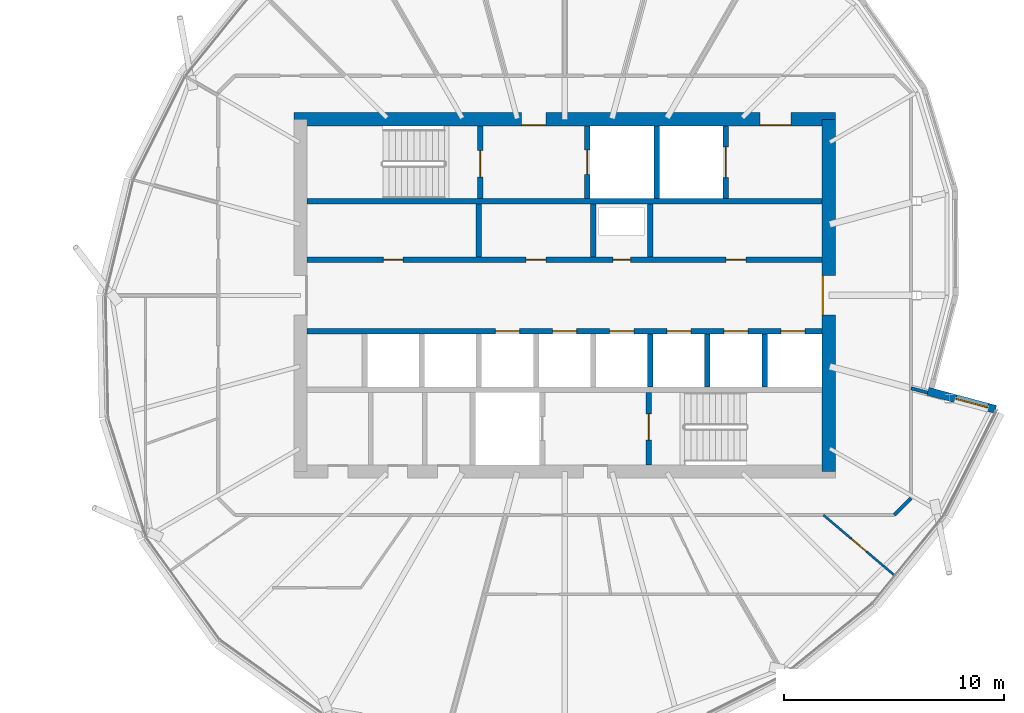
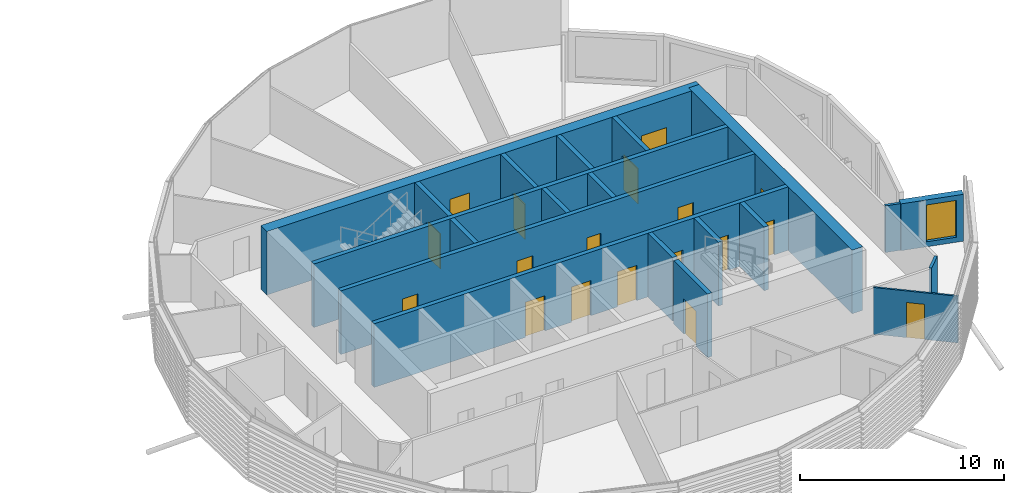
# One storey, part 22 of 37: 20 walls, 18 doors, 1 window, 19 openings.
"""IFC4 building model written with IfcOpenShell, lengths in metres."""

from ifc_helpers import new_model, si_unit, direction, frame, frame_2d, origin, place, context, subcontext, project, spatial, rectangle, extrude, material, layer, layer_set, type_object, element, fill, save


model = new_model("IFC4")

# Units and contexts
model_context = context("Model", 3, precision=1e-05, world=origin(), true_north=direction((0.0, 1.0)))
body_context = subcontext(model_context, "Body", "Model", "MODEL_VIEW")
ifc_project = project(units=[si_unit("LENGTHUNIT", "METRE"), si_unit("AREAUNIT", "SQUARE_METRE"), si_unit("VOLUMEUNIT", "CUBIC_METRE"), si_unit("PLANEANGLEUNIT", "RADIAN"), si_unit("MASSUNIT", "GRAM", prefix="KILO")], contexts=[model_context])

# Site, building, storey
site_placement = place(None, origin())
site = spatial("IfcSite", under=ifc_project, at=site_placement, CompositionType="ELEMENT")
building_placement = place(site_placement, origin())
building = spatial("IfcBuilding", under=site, at=building_placement, Name="Rimbun Link Towers", CompositionType="ELEMENT")
storey_placement = place(building_placement, frame((0.0, 0.0, 177.89990234375)))
storey = spatial("IfcBuildingStorey", under=building, at=storey_placement, Name="L43", CompositionType="ELEMENT", Elevation=177.89990234375)

# Wall, opening, window
ifc_material_1 = material(Name="Dark enamelled glass spandrel on insulated aluminium backpan", Category="aluminium")
ifc_layer_1 = layer(ifc_material_1, 0.3701171875)
ifc_layer_set_1 = layer_set([ifc_layer_1], Name="CS dark enamelled spandrel wall 370")
wall_type_1 = type_object("IfcWallType", Name="CS dark enamelled spandrel wall 370", PredefinedType="STANDARD", material=ifc_layer_set_1)
wall_1_placement = place(storey_placement, frame((48.25439453125, -4.35498046875, 0.0), z_axis=(0.0, 0.0, 1.0), x_axis=(0.965927146643, -0.258814117426, 0.0)))
wall_1 = element("IfcWall", 1, at=wall_1_placement, inside=storey, type_object=wall_type_1, Name="Crease spandrel wall", PredefinedType="STANDARD", context=body_context, shape_type="SweptSolid", body=[
    extrude(rectangle(XDim=3.179931640625, YDim=0.3701171875, at=frame_2d((1.58984375, 0.0))), origin(), (0.0, 0.0, 1.0), 2.79931640625),
])
opening_1_placement = place(wall_1_placement, frame((1.305419921875, 0.0, 0.300048828125)))
opening_1 = element("IfcOpeningElement", 2, at=opening_1_placement, cuts=wall_1, Name="Opening WR15H220", PredefinedType="OPENING", context=body_context, shape_type="SweptSolid", body=[
    extrude(rectangle(XDim=1.5, YDim=2.199951171875, at=frame_2d((0.75, 1.10009765625))), frame((0.0, 0.195068359375, 0.0), z_axis=(0.0, -1.0, 0.0), x_axis=(1.0, 0.0, 0.0)), (0.0, 0.0, 1.0), 0.39013671875),
])
ifc_material_2 = material(Name="Aluminium framed fixed window, dark tinted low-e glass", Category="aluminium")
window_type = type_object("IfcWindowType", Name="WR ribbon window 1500X2200", PartitioningType="SINGLE_PANEL", PredefinedType="WINDOW", material=ifc_material_2)
window_placement = place(opening_1_placement, origin())
window = element("IfcWindow", 3, at=window_placement, inside=storey, type_object=window_type, Name="Crease ribbon window", OverallHeight=2.199951171875, OverallWidth=1.5, PartitioningType="SINGLE_PANEL", PredefinedType="WINDOW", context=body_context, shape_type="SweptSolid", body=[
    extrude(rectangle(XDim=1.5, YDim=2.199951171875, at=frame_2d((0.75, 1.10009765625))), frame((0.0, 0.030029296875, 0.0), z_axis=(0.0, -1.0, 0.0), x_axis=(1.0, 0.0, 0.0)), (0.0, 0.0, 1.0), 0.06005859375),
])
fill(opening_1, window)

# Wall, openings, doors
ifc_material_3 = material(Name="Concrete C60/75", Category="concrete")
ifc_layer_2 = layer(ifc_material_3, 0.60009765625)
ifc_layer_set_2 = layer_set([ifc_layer_2], Name="Core shear wall 600")
wall_type_2 = type_object("IfcWallType", Name="Core shear wall 600", PredefinedType="SHEAR", material=ifc_layer_set_2)
wall_2_placement = place(storey_placement, frame((19.449951171875, 8.0, 0.0), z_axis=(0.0, 0.0, 1.0), x_axis=(1.0, 0.0, 0.0)))
wall_2 = element("IfcWall", 4, at=wall_2_placement, inside=storey, type_object=wall_type_2, Name="L43 T2 core wall N", PredefinedType="SHEAR", context=body_context, shape_type="SweptSolid", body=[
    extrude(rectangle(XDim=24.60009765625, YDim=0.60009765625, at=frame_2d((12.300048828125, 0.0))), origin(), (0.0, 0.0, 1.0), 3.800048828125),
])
opening_2_placement = place(wall_2_placement, frame((10.35009765625, 0.0, 0.0)))
opening_2 = element("IfcOpeningElement", 5, at=opening_2_placement, cuts=wall_2, Name="Opening C2DCF01N", PredefinedType="OPENING", context=body_context, shape_type="SweptSolid", body=[
    extrude(rectangle(XDim=1.10009765625, YDim=2.10009765625, at=frame_2d((0.550048828125, 1.050048828125))), frame((0.0, 0.31005859375, 0.0), z_axis=(0.0, -1.0, 0.0), x_axis=(1.0, 0.0, 0.0)), (0.0, 0.0, 1.0), 0.6201171875),
])
opening_3_placement = place(wall_2_placement, frame((21.175048828125, 0.0, 0.0)))
opening_3 = element("IfcOpeningElement", 6, at=opening_3_placement, cuts=wall_2, Name="Opening C2DSL02N", PredefinedType="OPENING", context=body_context, shape_type="SweptSolid", body=[
    extrude(rectangle(XDim=1.39990234375, YDim=2.10009765625, at=frame_2d((0.699951171875, 1.050048828125))), frame((0.0, 0.31005859375, 0.0), z_axis=(0.0, -1.0, 0.0), x_axis=(1.0, 0.0, 0.0)), (0.0, 0.0, 1.0), 0.6201171875),
])
ifc_material_4 = material(Name="Steel fire door set", Category="steel")
door_type_1 = type_object("IfcDoorType", Name="Core fire door single", OperationType="SINGLE_SWING_LEFT", PredefinedType="DOOR", material=ifc_material_4)
door_1_placement = place(opening_2_placement, origin())
door_1 = element("IfcDoor", 7, at=door_1_placement, inside=storey, type_object=door_type_1, Name="L43 T2 firefighting lobby n door", OperationType="SINGLE_SWING_LEFT", OverallHeight=2.10009765625, OverallWidth=1.10009765625, PredefinedType="DOOR", context=body_context, shape_type="SweptSolid", body=[
    extrude(rectangle(XDim=1.10009765625, YDim=2.10009765625, at=frame_2d((0.550048828125, 1.050048828125))), frame((0.0, -0.25, 0.0), z_axis=(0.0, -1.0, 0.0), x_axis=(1.0, 0.0, 0.0)), (0.0, 0.0, 1.0), 0.050048828125),
])
fill(opening_2, door_1)
ifc_material_5 = material(Name="Steel fire door set", Category="steel")
door_type_2 = type_object("IfcDoorType", Name="Service lobby door double", OperationType="DOUBLE_DOOR_SINGLE_SWING", PredefinedType="DOOR", material=ifc_material_5)
door_2_placement = place(opening_3_placement, origin())
door_2 = element("IfcDoor", 8, at=door_2_placement, inside=storey, type_object=door_type_2, Name="L43 T2 service lobby door", OperationType="DOUBLE_DOOR_SINGLE_SWING", OverallHeight=2.10009765625, OverallWidth=1.39990234375, PredefinedType="DOOR", context=body_context, shape_type="SweptSolid", body=[
    extrude(rectangle(XDim=1.39990234375, YDim=2.10009765625, at=frame_2d((0.699951171875, 1.050048828125))), frame((0.0, -0.25, 0.0), z_axis=(0.0, -1.0, 0.0), x_axis=(1.0, 0.0, 0.0)), (0.0, 0.0, 1.0), 0.050048828125),
])
fill(opening_3, door_2)

# Wall, opening, door
wall_3_placement = place(storey_placement, frame((43.75, -8.0, 0.0), z_axis=(0.0, 0.0, 1.0), x_axis=(0.0, 1.0, 0.0)))
wall_3 = element("IfcWall", 9, at=wall_3_placement, inside=storey, type_object=wall_type_2, Name="L43 T2 core wall E", PredefinedType="SHEAR", context=body_context, shape_type="SweptSolid", body=[
    extrude(rectangle(XDim=16.0, YDim=0.60009765625, at=frame_2d((8.0, 0.0))), origin(), (0.0, 0.0, 1.0), 3.800048828125),
])
opening_4_placement = place(wall_3_placement, frame((7.10009765625, 0.0, 0.0)))
opening_4 = element("IfcOpeningElement", 10, at=opening_4_placement, cuts=wall_3, Name="Opening C2DCL01E", PredefinedType="OPENING", context=body_context, shape_type="SweptSolid", body=[
    extrude(rectangle(XDim=1.800048828125, YDim=2.10009765625, at=frame_2d((0.89990234375, 1.050048828125))), frame((0.0, 0.31005859375, 0.0), z_axis=(0.0, -1.0, 0.0), x_axis=(1.0, 0.0, 0.0)), (0.0, 0.0, 1.0), 0.6201171875),
])
ifc_material_6 = material(Name="Steel fire door set", Category="steel")
door_type_3 = type_object("IfcDoorType", Name="Core lobby door double", OperationType="DOUBLE_DOOR_SINGLE_SWING", PredefinedType="DOOR", material=ifc_material_6)
door_3_placement = place(opening_4_placement, origin())
door_3 = element("IfcDoor", 11, at=door_3_placement, inside=storey, type_object=door_type_3, Name="L43 T2 lift lobby door", OperationType="DOUBLE_DOOR_SINGLE_SWING", OverallHeight=2.10009765625, OverallWidth=1.800048828125, PredefinedType="DOOR", context=body_context, shape_type="SweptSolid", body=[
    extrude(rectangle(XDim=1.800048828125, YDim=2.10009765625, at=frame_2d((0.89990234375, 1.050048828125))), frame((0.0, 0.2998046875, 0.0), z_axis=(0.0, -1.0, 0.0), x_axis=(1.0, 0.0, 0.0)), (0.0, 0.0, 1.0), 0.050048828125),
])
fill(opening_4, door_3)

# Wall
ifc_material_7 = material(Name="Plasterboard on steel stud, mineral wool", Category="steel")
ifc_layer_3 = layer(ifc_material_7, 0.14990234375)
ifc_layer_set_3 = layer_set([ifc_layer_3], Name="Corridor wall EI 30 150 mm")
wall_type_3 = type_object("IfcWallType", Name="Corridor wall EI 30 150 mm", PredefinedType="PARTITIONING", material=ifc_layer_set_3)
wall_4_placement = place(storey_placement, frame((46.7236328125, -9.97509765625, 0.0), z_axis=(0.0, 0.0, 1.0), x_axis=(0.707106781187, 0.707106781187, 0.0)))
element("IfcWall", 12, at=wall_4_placement, inside=storey, type_object=wall_type_3, Name="Corridor wall EI 30 150 mm", PredefinedType="PARTITIONING", context=body_context, shape_type="SweptSolid", body=[
    extrude(rectangle(XDim=1.076904296875, YDim=0.14990234375, at=frame_2d((0.53857421875, 0.0))), origin(), (0.0, 0.0, 1.0), 2.7890625),
])

# Wall, opening, door
ifc_material_8 = material(Name="Plasterboard on steel stud", Category="steel")
ifc_layer_4 = layer(ifc_material_8, 0.10009765625)
ifc_layer_set_4 = layer_set([ifc_layer_4], Name="Plasterboard partition 100 mm")
wall_type_4 = type_object("IfcWallType", Name="Plasterboard partition 100 mm", PredefinedType="PARTITIONING", material=ifc_layer_set_4)
wall_5_placement = place(storey_placement, frame((43.50537109375, -9.97509765625, 0.0), z_axis=(0.0, 0.0, 1.0), x_axis=(0.762487554791, -0.647002881593, 0.0)))
wall_5 = element("IfcWall", 13, at=wall_5_placement, inside=storey, type_object=wall_type_4, Name="Plasterboard partition 100 mm", PredefinedType="PARTITIONING", context=body_context, shape_type="SweptSolid", body=[
    extrude(rectangle(XDim=4.22802734375, YDim=0.10009765625, at=frame_2d((2.114013671875, 0.0))), origin(), (0.0, 0.0, 1.0), 2.7890625),
])
opening_5_placement = place(wall_5_placement, frame((1.6640625, 0.0, 0.0)))
opening_5 = element("IfcOpeningElement", 14, at=opening_5_placement, cuts=wall_5, Name="Opening D04", PredefinedType="OPENING", context=body_context, shape_type="SweptSolid", body=[
    extrude(rectangle(XDim=0.89990234375, YDim=2.10009765625, at=frame_2d((0.449951171875, 1.050048828125))), frame((0.0, 0.06005859375, 0.0), z_axis=(0.0, -1.0, 0.0), x_axis=(1.0, 0.0, 0.0)), (0.0, 0.0, 1.0), 0.1201171875),
])
ifc_material_9 = material(Name="Timber door leaf", Category="wood")
door_type_4 = type_object("IfcDoorType", Name="Flush door 900", OperationType="NOTDEFINED", PredefinedType="DOOR", material=ifc_material_9)
door_4_placement = place(opening_5_placement, origin())
door_4 = element("IfcDoor", 15, at=door_4_placement, inside=storey, type_object=door_type_4, Name="Flush door 900 to Pantry", OperationType="SINGLE_SWING_RIGHT", OverallHeight=2.10009765625, OverallWidth=0.89990234375, PredefinedType="DOOR", context=body_context, shape_type="SweptSolid", body=[
    extrude(rectangle(XDim=0.89990234375, YDim=2.10009765625, at=frame_2d((0.449951171875, 1.050048828125))), frame((0.0, 0.02490234375, 0.0), z_axis=(0.0, -1.0, 0.0), x_axis=(1.0, 0.0, 0.0)), (0.0, 0.0, 1.0), 0.050048828125),
])
fill(opening_5, door_4)

# Wall
ifc_material_10 = material(Name="Concrete C60/75", Category="concrete")
ifc_layer_5 = layer(ifc_material_10, 0.25)
ifc_layer_set_5 = layer_set([ifc_layer_5], Name="Shaft wall 250")
wall_type_5 = type_object("IfcWallType", Name="Shaft wall 250", PredefinedType="SHEAR", material=ifc_layer_set_5)
wall_6_placement = place(storey_placement, frame((20.050048828125, 4.27490234375, 0.0), z_axis=(0.0, 0.0, 1.0), x_axis=(1.0, 0.0, 0.0)))
element("IfcWall", 16, at=wall_6_placement, inside=storey, type_object=wall_type_5, Name="L43 T2 core wall BN", PredefinedType="SHEAR", context=body_context, shape_type="SweptSolid", body=[
    extrude(rectangle(XDim=23.39990234375, YDim=0.25, at=frame_2d((11.699951171875, 0.0))), origin(), (0.0, 0.0, 1.0), 3.800048828125),
])

# Wall, openings, doors
wall_7_placement = place(storey_placement, frame((20.050048828125, 1.625, 0.0), z_axis=(0.0, 0.0, 1.0), x_axis=(1.0, 0.0, 0.0)))
wall_7 = element("IfcWall", 17, at=wall_7_placement, inside=storey, type_object=wall_type_5, Name="L43 T2 core wall FN", PredefinedType="SHEAR", context=body_context, shape_type="SweptSolid", body=[
    extrude(rectangle(XDim=23.39990234375, YDim=0.25, at=frame_2d((11.699951171875, 0.0))), origin(), (0.0, 0.0, 1.0), 3.800048828125),
])
opening_6_placement = place(wall_7_placement, frame((3.466796875, 0.0, 0.0)))
opening_6 = element("IfcOpeningElement", 18, at=opening_6_placement, cuts=wall_7, Name="Opening C2DRS01FN", PredefinedType="OPENING", context=body_context, shape_type="SweptSolid", body=[
    extrude(rectangle(XDim=0.89990234375, YDim=2.10009765625, at=frame_2d((0.449951171875, 1.050048828125))), frame((0.0, 0.135009765625, 0.0), z_axis=(0.0, -1.0, 0.0), x_axis=(1.0, 0.0, 0.0)), (0.0, 0.0, 1.0), 0.27001953125),
])
opening_7_placement = place(wall_7_placement, frame((9.952880859375, 0.0, 0.0)))
opening_7 = element("IfcOpeningElement", 19, at=opening_7_placement, cuts=wall_7, Name="Opening C2DRS02FN", PredefinedType="OPENING", context=body_context, shape_type="SweptSolid", body=[
    extrude(rectangle(XDim=0.89990234375, YDim=2.10009765625, at=frame_2d((0.449951171875, 1.050048828125))), frame((0.0, 0.135009765625, 0.0), z_axis=(0.0, -1.0, 0.0), x_axis=(1.0, 0.0, 0.0)), (0.0, 0.0, 1.0), 0.27001953125),
])
opening_8_placement = place(wall_7_placement, frame((13.894287109375, 0.0, 0.0)))
opening_8 = element("IfcOpeningElement", 20, at=opening_8_placement, cuts=wall_7, Name="Opening C2DRA03FN", PredefinedType="OPENING", context=body_context, shape_type="SweptSolid", body=[
    extrude(rectangle(XDim=0.800048828125, YDim=2.10009765625, at=frame_2d((0.39990234375, 1.050048828125))), frame((0.0, 0.135009765625, 0.0), z_axis=(0.0, -1.0, 0.0), x_axis=(1.0, 0.0, 0.0)), (0.0, 0.0, 1.0), 0.27001953125),
])
opening_9_placement = place(wall_7_placement, frame((19.033203125, 0.0, 0.0)))
opening_9 = element("IfcOpeningElement", 21, at=opening_9_placement, cuts=wall_7, Name="Opening C2DRS04FN", PredefinedType="OPENING", context=body_context, shape_type="SweptSolid", body=[
    extrude(rectangle(XDim=0.89990234375, YDim=2.10009765625, at=frame_2d((0.449951171875, 1.050048828125))), frame((0.0, 0.135009765625, 0.0), z_axis=(0.0, -1.0, 0.0), x_axis=(1.0, 0.0, 0.0)), (0.0, 0.0, 1.0), 0.27001953125),
])
ifc_material_11 = material(Name="Steel fire door set", Category="steel")
door_type_5 = type_object("IfcDoorType", Name="Core riser door", OperationType="SINGLE_SWING_LEFT", PredefinedType="DOOR", material=ifc_material_11)
door_5_placement = place(opening_6_placement, origin())
door_5 = element("IfcDoor", 22, at=door_5_placement, inside=storey, type_object=door_type_5, Name="L43 T2 plant room door", OperationType="SINGLE_SWING_RIGHT", OverallHeight=2.10009765625, OverallWidth=0.89990234375, PredefinedType="DOOR", context=body_context, shape_type="SweptSolid", body=[
    extrude(rectangle(XDim=0.89990234375, YDim=2.10009765625, at=frame_2d((0.449951171875, 1.050048828125))), frame((0.0, 0.02490234375, 0.0), z_axis=(0.0, -1.0, 0.0), x_axis=(1.0, 0.0, 0.0)), (0.0, 0.0, 1.0), 0.050048828125),
])
fill(opening_6, door_5)
door_6_placement = place(opening_7_placement, origin())
door_6 = element("IfcDoor", 23, at=door_6_placement, inside=storey, type_object=door_type_5, Name="L43 T2 pantry door", OperationType="SINGLE_SWING_LEFT", OverallHeight=2.10009765625, OverallWidth=0.89990234375, PredefinedType="DOOR", context=body_context, shape_type="SweptSolid", body=[
    extrude(rectangle(XDim=0.89990234375, YDim=2.10009765625, at=frame_2d((0.449951171875, 1.050048828125))), frame((0.0, 0.02490234375, 0.0), z_axis=(0.0, -1.0, 0.0), x_axis=(1.0, 0.0, 0.0)), (0.0, 0.0, 1.0), 0.050048828125),
])
fill(opening_7, door_6)
door_7_placement = place(opening_9_placement, origin())
door_7 = element("IfcDoor", 24, at=door_7_placement, inside=storey, type_object=door_type_5, Name="L43 T2 plant room door", OperationType="SINGLE_SWING_LEFT", OverallHeight=2.10009765625, OverallWidth=0.89990234375, PredefinedType="DOOR", context=body_context, shape_type="SweptSolid", body=[
    extrude(rectangle(XDim=0.89990234375, YDim=2.10009765625, at=frame_2d((0.449951171875, 1.050048828125))), frame((0.0, 0.02490234375, 0.0), z_axis=(0.0, -1.0, 0.0), x_axis=(1.0, 0.0, 0.0)), (0.0, 0.0, 1.0), 0.050048828125),
])
fill(opening_9, door_7)
ifc_material_12 = material(Name="Steel fire door set", Category="steel")
door_type_6 = type_object("IfcDoorType", Name="Riser access door 800 x 2100", OperationType="SINGLE_SWING_LEFT", PredefinedType="DOOR", material=ifc_material_12)
door_8_placement = place(opening_8_placement, origin())
door_8 = element("IfcDoor", 25, at=door_8_placement, inside=storey, type_object=door_type_6, Name="L43 T2 riser cupboard door", OperationType="SINGLE_SWING_LEFT", OverallHeight=2.10009765625, OverallWidth=0.800048828125, PredefinedType="DOOR", context=body_context, shape_type="SweptSolid", body=[
    extrude(rectangle(XDim=0.800048828125, YDim=2.10009765625, at=frame_2d((0.39990234375, 1.050048828125))), frame((0.0, 0.02490234375, 0.0), z_axis=(0.0, -1.0, 0.0), x_axis=(1.0, 0.0, 0.0)), (0.0, 0.0, 1.0), 0.050048828125),
])
fill(opening_8, door_8)

wall_8_placement = place(storey_placement, frame((20.050048828125, -1.625, 0.0), z_axis=(0.0, 0.0, 1.0), x_axis=(1.0, 0.0, 0.0)))
wall_8 = element("IfcWall", 26, at=wall_8_placement, inside=storey, type_object=wall_type_5, Name="L43 T2 core wall FS", PredefinedType="SHEAR", context=body_context, shape_type="SweptSolid", body=[
    extrude(rectangle(XDim=23.39990234375, YDim=0.25, at=frame_2d((11.699951171875, 0.0))), origin(), (0.0, 0.0, 1.0), 3.800048828125),
])
opening_10_placement = place(wall_8_placement, frame((8.5556640625, 0.0, 0.0)))
opening_10 = element("IfcOpeningElement", 27, at=opening_10_placement, cuts=wall_8, Name="Opening LD-T2-HR1", PredefinedType="OPENING", context=body_context, shape_type="SweptSolid", body=[
    extrude(rectangle(XDim=1.10009765625, YDim=2.10009765625, at=frame_2d((0.550048828125, 1.050048828125))), frame((0.0, 0.135009765625, 0.0), z_axis=(0.0, -1.0, 0.0), x_axis=(1.0, 0.0, 0.0)), (0.0, 0.0, 1.0), 0.27001953125),
])
opening_11_placement = place(wall_8_placement, frame((11.14990234375, 0.0, 0.0)))
opening_11 = element("IfcOpeningElement", 28, at=opening_11_placement, cuts=wall_8, Name="Opening LD-T2-HR2", PredefinedType="OPENING", context=body_context, shape_type="SweptSolid", body=[
    extrude(rectangle(XDim=1.10009765625, YDim=2.10009765625, at=frame_2d((0.550048828125, 1.050048828125))), frame((0.0, 0.135009765625, 0.0), z_axis=(0.0, -1.0, 0.0), x_axis=(1.0, 0.0, 0.0)), (0.0, 0.0, 1.0), 0.27001953125),
])
opening_12_placement = place(wall_8_placement, frame((13.744384765625, 0.0, 0.0)))
opening_12 = element("IfcOpeningElement", 29, at=opening_12_placement, cuts=wall_8, Name="Opening LD-T2-HR3", PredefinedType="OPENING", context=body_context, shape_type="SweptSolid", body=[
    extrude(rectangle(XDim=1.10009765625, YDim=2.10009765625, at=frame_2d((0.550048828125, 1.050048828125))), frame((0.0, 0.135009765625, 0.0), z_axis=(0.0, -1.0, 0.0), x_axis=(1.0, 0.0, 0.0)), (0.0, 0.0, 1.0), 0.27001953125),
])
opening_13_placement = place(wall_8_placement, frame((16.3388671875, 0.0, 0.0)))
opening_13 = element("IfcOpeningElement", 30, at=opening_13_placement, cuts=wall_8, Name="Opening LD-T2-HR4", PredefinedType="OPENING", context=body_context, shape_type="SweptSolid", body=[
    extrude(rectangle(XDim=1.10009765625, YDim=2.10009765625, at=frame_2d((0.550048828125, 1.050048828125))), frame((0.0, 0.135009765625, 0.0), z_axis=(0.0, -1.0, 0.0), x_axis=(1.0, 0.0, 0.0)), (0.0, 0.0, 1.0), 0.27001953125),
])
opening_14_placement = place(wall_8_placement, frame((18.933349609375, 0.0, 0.0)))
opening_14 = element("IfcOpeningElement", 31, at=opening_14_placement, cuts=wall_8, Name="Opening LD-T2-HR5", PredefinedType="OPENING", context=body_context, shape_type="SweptSolid", body=[
    extrude(rectangle(XDim=1.10009765625, YDim=2.10009765625, at=frame_2d((0.550048828125, 1.050048828125))), frame((0.0, 0.135009765625, 0.0), z_axis=(0.0, -1.0, 0.0), x_axis=(1.0, 0.0, 0.0)), (0.0, 0.0, 1.0), 0.27001953125),
])
opening_15_placement = place(wall_8_placement, frame((21.52783203125, 0.0, 0.0)))
opening_15 = element("IfcOpeningElement", 32, at=opening_15_placement, cuts=wall_8, Name="Opening LD-T2-HR6", PredefinedType="OPENING", context=body_context, shape_type="SweptSolid", body=[
    extrude(rectangle(XDim=1.10009765625, YDim=2.10009765625, at=frame_2d((0.550048828125, 1.050048828125))), frame((0.0, 0.135009765625, 0.0), z_axis=(0.0, -1.0, 0.0), x_axis=(1.0, 0.0, 0.0)), (0.0, 0.0, 1.0), 0.27001953125),
])
ifc_material_13 = material(Name="Stainless steel grade 316", Category="steel")
door_type_7 = type_object("IfcDoorType", Name="Lift landing door", OperationType="DOUBLE_DOOR_SLIDING", PredefinedType="DOOR", material=ifc_material_13)
door_9_placement = place(opening_10_placement, origin())
door_9 = element("IfcDoor", 33, at=door_9_placement, inside=storey, type_object=door_type_7, Name="L43 T2 lift HR1 landing door", OperationType="DOUBLE_DOOR_SLIDING", OverallHeight=2.10009765625, OverallWidth=1.10009765625, PredefinedType="DOOR", context=body_context, shape_type="SweptSolid", body=[
    extrude(rectangle(XDim=1.10009765625, YDim=2.10009765625, at=frame_2d((0.550048828125, 1.050048828125))), frame((0.0, 0.02490234375, 0.0), z_axis=(0.0, -1.0, 0.0), x_axis=(1.0, 0.0, 0.0)), (0.0, 0.0, 1.0), 0.050048828125),
])
fill(opening_10, door_9)
door_10_placement = place(opening_11_placement, origin())
door_10 = element("IfcDoor", 34, at=door_10_placement, inside=storey, type_object=door_type_7, Name="L43 T2 lift HR2 landing door", OperationType="DOUBLE_DOOR_SLIDING", OverallHeight=2.10009765625, OverallWidth=1.10009765625, PredefinedType="DOOR", context=body_context, shape_type="SweptSolid", body=[
    extrude(rectangle(XDim=1.10009765625, YDim=2.10009765625, at=frame_2d((0.550048828125, 1.050048828125))), frame((0.0, 0.02490234375, 0.0), z_axis=(0.0, -1.0, 0.0), x_axis=(1.0, 0.0, 0.0)), (0.0, 0.0, 1.0), 0.050048828125),
])
fill(opening_11, door_10)
door_11_placement = place(opening_12_placement, origin())
door_11 = element("IfcDoor", 35, at=door_11_placement, inside=storey, type_object=door_type_7, Name="L43 T2 lift HR3 landing door", OperationType="DOUBLE_DOOR_SLIDING", OverallHeight=2.10009765625, OverallWidth=1.10009765625, PredefinedType="DOOR", context=body_context, shape_type="SweptSolid", body=[
    extrude(rectangle(XDim=1.10009765625, YDim=2.10009765625, at=frame_2d((0.550048828125, 1.050048828125))), frame((0.0, 0.02490234375, 0.0), z_axis=(0.0, -1.0, 0.0), x_axis=(1.0, 0.0, 0.0)), (0.0, 0.0, 1.0), 0.050048828125),
])
fill(opening_12, door_11)
door_12_placement = place(opening_13_placement, origin())
door_12 = element("IfcDoor", 36, at=door_12_placement, inside=storey, type_object=door_type_7, Name="L43 T2 lift HR4 landing door", OperationType="DOUBLE_DOOR_SLIDING", OverallHeight=2.10009765625, OverallWidth=1.10009765625, PredefinedType="DOOR", context=body_context, shape_type="SweptSolid", body=[
    extrude(rectangle(XDim=1.10009765625, YDim=2.10009765625, at=frame_2d((0.550048828125, 1.050048828125))), frame((0.0, 0.02490234375, 0.0), z_axis=(0.0, -1.0, 0.0), x_axis=(1.0, 0.0, 0.0)), (0.0, 0.0, 1.0), 0.050048828125),
])
fill(opening_13, door_12)
door_13_placement = place(opening_14_placement, origin())
door_13 = element("IfcDoor", 37, at=door_13_placement, inside=storey, type_object=door_type_7, Name="L43 T2 lift HR5 landing door", OperationType="DOUBLE_DOOR_SLIDING", OverallHeight=2.10009765625, OverallWidth=1.10009765625, PredefinedType="DOOR", context=body_context, shape_type="SweptSolid", body=[
    extrude(rectangle(XDim=1.10009765625, YDim=2.10009765625, at=frame_2d((0.550048828125, 1.050048828125))), frame((0.0, 0.02490234375, 0.0), z_axis=(0.0, -1.0, 0.0), x_axis=(1.0, 0.0, 0.0)), (0.0, 0.0, 1.0), 0.050048828125),
])
fill(opening_14, door_13)
door_14_placement = place(opening_15_placement, origin())
door_14 = element("IfcDoor", 38, at=door_14_placement, inside=storey, type_object=door_type_7, Name="L43 T2 lift HR6 landing door", OperationType="DOUBLE_DOOR_SLIDING", OverallHeight=2.10009765625, OverallWidth=1.10009765625, PredefinedType="DOOR", context=body_context, shape_type="SweptSolid", body=[
    extrude(rectangle(XDim=1.10009765625, YDim=2.10009765625, at=frame_2d((0.550048828125, 1.050048828125))), frame((0.0, 0.02490234375, 0.0), z_axis=(0.0, -1.0, 0.0), x_axis=(1.0, 0.0, 0.0)), (0.0, 0.0, 1.0), 0.050048828125),
])
fill(opening_15, door_14)

# Walls
for number, where, z_axis, x_axis, name in (
    (39, (27.8583984375, 1.75, 0.0), (0.0, 0.0, 1.0), (0.0, 1.0, 0.0), "L43 T2 core wall DN2"),
    (40, (33.047119140625, 1.75, 0.0), (0.0, 0.0, 1.0), (0.0, 1.0, 0.0), "L43 T2 core wall DN4"),
    (41, (35.6416015625, 1.75, 0.0), (0.0, 0.0, 1.0), (0.0, 1.0, 0.0), "L43 T2 core wall DN5"),
    (42, (35.6416015625, -4.14990234375, 0.0), (0.0, 0.0, 1.0), (0.0, 1.0, 0.0), "L43 T2 core wall DS5"),
    (43, (38.236083984375, -4.14990234375, 0.0), (0.0, 0.0, 1.0), (0.0, 1.0, 0.0), "L43 T2 core wall DS6"),
    (44, (40.83056640625, -4.14990234375, 0.0), (0.0, 0.0, 1.0), (0.0, 1.0, 0.0), "L43 T2 core wall DS7"),
):
    element("IfcWall", number, at=place(storey_placement, frame(where, z_axis=z_axis, x_axis=x_axis)), inside=storey, type_object=wall_type_5, Name=name, PredefinedType="SHEAR", context=body_context, shape_type="SweptSolid", body=[
        extrude(rectangle(XDim=2.39990234375, YDim=0.25, at=frame_2d((1.199951171875, 0.0))), origin(), (0.0, 0.0, 1.0), 3.800048828125),
    ])

# Wall, opening, door
wall_9_placement = place(storey_placement, frame((27.925048828125, 4.39990234375, 0.0), z_axis=(0.0, 0.0, 1.0), x_axis=(0.0, 1.0, 0.0)))
wall_9 = element("IfcWall", 45, at=wall_9_placement, inside=storey, type_object=wall_type_5, Name="L43 T2 core wall A1", PredefinedType="SHEAR", context=body_context, shape_type="SweptSolid", body=[
    extrude(rectangle(XDim=3.300048828125, YDim=0.25, at=frame_2d((1.64990234375, 0.0))), origin(), (0.0, 0.0, 1.0), 3.800048828125),
])
opening_16_placement = place(wall_9_placement, frame((0.97509765625, 0.0, 0.0)))
opening_16 = element("IfcOpeningElement", 46, at=opening_16_placement, cuts=wall_9, Name="Opening C2DST01A1", PredefinedType="OPENING", context=body_context, shape_type="SweptSolid", body=[
    extrude(rectangle(XDim=1.199951171875, YDim=2.10009765625, at=frame_2d((0.60009765625, 1.050048828125))), frame((0.0, 0.135009765625, 0.0), z_axis=(0.0, -1.0, 0.0), x_axis=(1.0, 0.0, 0.0)), (0.0, 0.0, 1.0), 0.27001953125),
])
ifc_material_14 = material(Name="Steel fire door set", Category="steel")
door_type_8 = type_object("IfcDoorType", Name="Stair door", OperationType="SINGLE_SWING_LEFT", PredefinedType="DOOR", material=ifc_material_14)
door_15_placement = place(opening_16_placement, origin())
door_15 = element("IfcDoor", 47, at=door_15_placement, inside=storey, type_object=door_type_8, Name="L43 T2 stair a door", OperationType="SINGLE_SWING_LEFT", OverallHeight=2.10009765625, OverallWidth=1.199951171875, PredefinedType="DOOR", context=body_context, shape_type="SweptSolid", body=[
    extrude(rectangle(XDim=1.199951171875, YDim=2.10009765625, at=frame_2d((0.60009765625, 1.050048828125))), frame((0.0, 0.02490234375, 0.0), z_axis=(0.0, -1.0, 0.0), x_axis=(1.0, 0.0, 0.0)), (0.0, 0.0, 1.0), 0.050048828125),
])
fill(opening_16, door_15)

wall_10_placement = place(storey_placement, frame((32.77490234375, 4.39990234375, 0.0), z_axis=(0.0, 0.0, 1.0), x_axis=(0.0, 1.0, 0.0)))
wall_10 = element("IfcWall", 48, at=wall_10_placement, inside=storey, type_object=wall_type_5, Name="L43 T2 core wall A2", PredefinedType="SHEAR", context=body_context, shape_type="SweptSolid", body=[
    extrude(rectangle(XDim=3.300048828125, YDim=0.25, at=frame_2d((1.64990234375, 0.0))), origin(), (0.0, 0.0, 1.0), 3.800048828125),
])
opening_17_placement = place(wall_10_placement, frame((1.10009765625, 0.0, 0.0)))
opening_17 = element("IfcOpeningElement", 49, at=opening_17_placement, cuts=wall_10, Name="Opening LD-T2-FF1", PredefinedType="OPENING", context=body_context, shape_type="SweptSolid", body=[
    extrude(rectangle(XDim=1.10009765625, YDim=2.10009765625, at=frame_2d((0.550048828125, 1.050048828125))), frame((0.0, 0.135009765625, 0.0), z_axis=(0.0, -1.0, 0.0), x_axis=(1.0, 0.0, 0.0)), (0.0, 0.0, 1.0), 0.27001953125),
])
door_16_placement = place(opening_17_placement, origin())
door_16 = element("IfcDoor", 50, at=door_16_placement, inside=storey, type_object=door_type_7, Name="L43 T2 lift FF1 landing door", OperationType="DOUBLE_DOOR_SLIDING", OverallHeight=2.10009765625, OverallWidth=1.10009765625, PredefinedType="DOOR", context=body_context, shape_type="SweptSolid", body=[
    extrude(rectangle(XDim=1.10009765625, YDim=2.10009765625, at=frame_2d((0.550048828125, 1.050048828125))), frame((0.0, 0.02490234375, 0.0), z_axis=(0.0, -1.0, 0.0), x_axis=(1.0, 0.0, 0.0)), (0.0, 0.0, 1.0), 0.050048828125),
])
fill(opening_17, door_16)

# Wall
wall_11_placement = place(storey_placement, frame((35.925048828125, 4.39990234375, 0.0), z_axis=(0.0, 0.0, 1.0), x_axis=(0.0, 1.0, 0.0)))
element("IfcWall", 51, at=wall_11_placement, inside=storey, type_object=wall_type_5, Name="L43 T2 core wall A3", PredefinedType="SHEAR", context=body_context, shape_type="SweptSolid", body=[
    extrude(rectangle(XDim=3.300048828125, YDim=0.25, at=frame_2d((1.64990234375, 0.0))), origin(), (0.0, 0.0, 1.0), 3.800048828125),
])

# Wall, opening, door
wall_12_placement = place(storey_placement, frame((39.074951171875, 4.39990234375, 0.0), z_axis=(0.0, 0.0, 1.0), x_axis=(0.0, 1.0, 0.0)))
wall_12 = element("IfcWall", 52, at=wall_12_placement, inside=storey, type_object=wall_type_5, Name="L43 T2 core wall A4", PredefinedType="SHEAR", context=body_context, shape_type="SweptSolid", body=[
    extrude(rectangle(XDim=3.300048828125, YDim=0.25, at=frame_2d((1.64990234375, 0.0))), origin(), (0.0, 0.0, 1.0), 3.800048828125),
])
opening_18_placement = place(wall_12_placement, frame((0.949951171875, 0.0, 0.0)))
opening_18 = element("IfcOpeningElement", 53, at=opening_18_placement, cuts=wall_12, Name="Opening LD-T2-GL1", PredefinedType="OPENING", context=body_context, shape_type="SweptSolid", body=[
    extrude(rectangle(XDim=1.39990234375, YDim=2.10009765625, at=frame_2d((0.699951171875, 1.050048828125))), frame((0.0, 0.135009765625, 0.0), z_axis=(0.0, -1.0, 0.0), x_axis=(1.0, 0.0, 0.0)), (0.0, 0.0, 1.0), 0.27001953125),
])
ifc_material_15 = material(Name="Stainless steel grade 316", Category="steel")
door_type_9 = type_object("IfcDoorType", Name="Goods lift landing door", OperationType="DOUBLE_DOOR_SLIDING", PredefinedType="DOOR", material=ifc_material_15)
door_17_placement = place(opening_18_placement, origin())
door_17 = element("IfcDoor", 54, at=door_17_placement, inside=storey, type_object=door_type_9, Name="L43 T2 lift GL1 landing door", OperationType="DOUBLE_DOOR_SLIDING", OverallHeight=2.10009765625, OverallWidth=1.39990234375, PredefinedType="DOOR", context=body_context, shape_type="SweptSolid", body=[
    extrude(rectangle(XDim=1.39990234375, YDim=2.10009765625, at=frame_2d((0.699951171875, 1.050048828125))), frame((0.0, 0.02490234375, 0.0), z_axis=(0.0, -1.0, 0.0), x_axis=(1.0, 0.0, 0.0)), (0.0, 0.0, 1.0), 0.050048828125),
])
fill(opening_18, door_17)

wall_13_placement = place(storey_placement, frame((35.574951171875, -4.39990234375, 0.0), z_axis=(0.0, 0.0, 1.0), x_axis=(0.0, -1.0, 0.0)))
wall_13 = element("IfcWall", 55, at=wall_13_placement, inside=storey, type_object=wall_type_5, Name="L43 T2 core wall B1", PredefinedType="SHEAR", context=body_context, shape_type="SweptSolid", body=[
    extrude(rectangle(XDim=3.300048828125, YDim=0.25, at=frame_2d((1.64990234375, 0.0))), origin(), (0.0, 0.0, 1.0), 3.800048828125),
])
opening_19_placement = place(wall_13_placement, frame((0.97509765625, 0.0, 0.0)))
opening_19 = element("IfcOpeningElement", 56, at=opening_19_placement, cuts=wall_13, Name="Opening C2DST01B1", PredefinedType="OPENING", context=body_context, shape_type="SweptSolid", body=[
    extrude(rectangle(XDim=1.199951171875, YDim=2.10009765625, at=frame_2d((0.60009765625, 1.050048828125))), frame((0.0, 0.135009765625, 0.0), z_axis=(0.0, -1.0, 0.0), x_axis=(1.0, 0.0, 0.0)), (0.0, 0.0, 1.0), 0.27001953125),
])
door_18_placement = place(opening_19_placement, origin())
door_18 = element("IfcDoor", 57, at=door_18_placement, inside=storey, type_object=door_type_8, Name="L43 T2 stair b door", OperationType="SINGLE_SWING_RIGHT", OverallHeight=2.10009765625, OverallWidth=1.199951171875, PredefinedType="DOOR", context=body_context, shape_type="SweptSolid", body=[
    extrude(rectangle(XDim=1.199951171875, YDim=2.10009765625, at=frame_2d((0.60009765625, 1.050048828125))), frame((0.0, 0.02490234375, 0.0), z_axis=(0.0, -1.0, 0.0), x_axis=(1.0, 0.0, 0.0)), (0.0, 0.0, 1.0), 0.050048828125),
])
fill(opening_19, door_18)

# Wall
ifc_material_16 = material(Name="Plasterboard on steel stud, mineral wool", Category="steel")
ifc_layer_6 = layer(ifc_material_16, 0.14990234375)
ifc_layer_set_6 = layer_set([ifc_layer_6], Name="Tenancy separation wall EI 60 150 mm")
wall_type_6 = type_object("IfcWallType", Name="Tenancy separation wall EI 60 150 mm", PredefinedType="PARTITIONING", material=ifc_layer_set_6)
wall_14_placement = place(storey_placement, frame((47.485107421875, -4.216064453125, 0.0), z_axis=(0.0, 0.0, 1.0), x_axis=(0.965911675515, -0.258871850738, 0.0)))
element("IfcWall", 58, at=wall_14_placement, inside=storey, type_object=wall_type_6, Name="Tenancy separation wall EI 60 150 mm", PredefinedType="PARTITIONING", context=body_context, shape_type="SweptSolid", body=[
    extrude(rectangle(XDim=0.779052734375, YDim=0.14990234375, at=frame_2d((0.3896484375, 0.0))), origin(), (0.0, 0.0, 1.0), 2.7890625),
])

save(model, "model.ifc")
